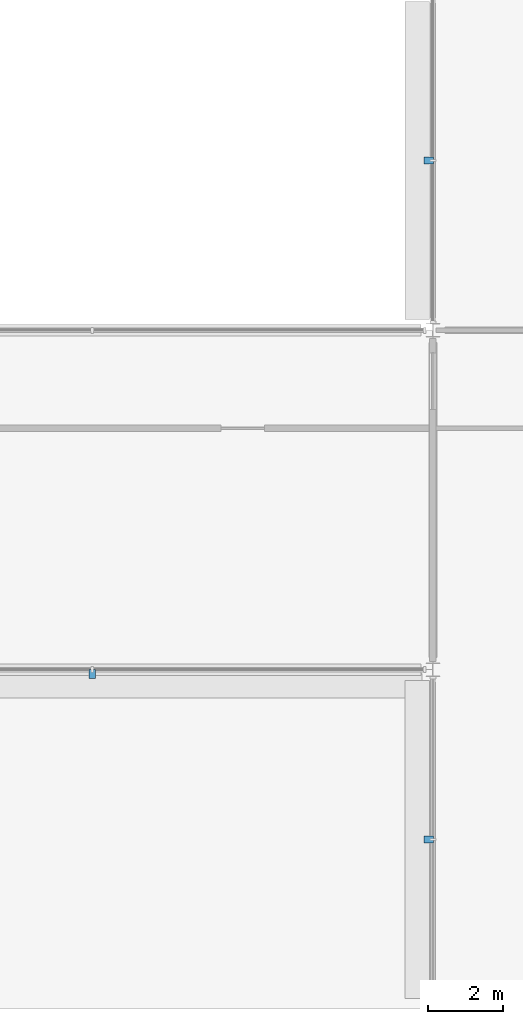
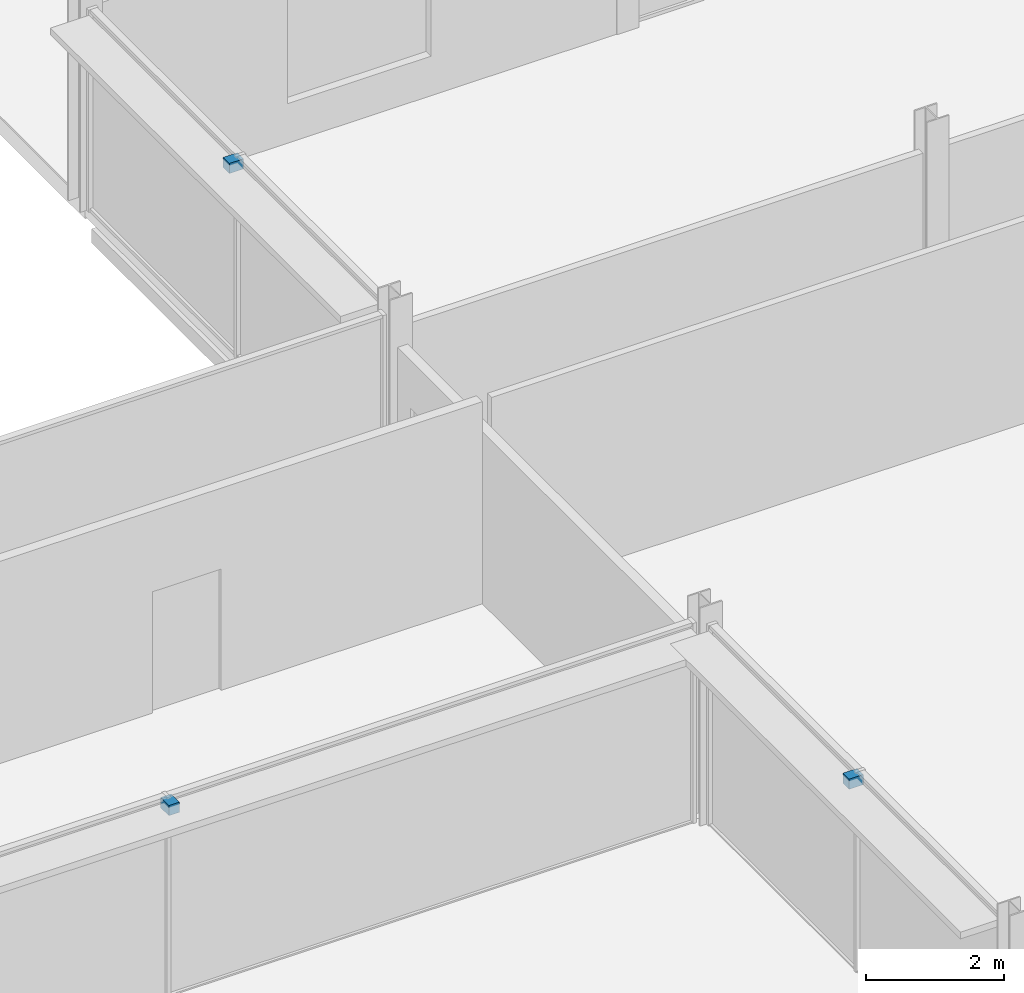
# One storey, part 86 of 105: 3 discrete accessories.
"""IFC4 building model written with IfcOpenShell, lengths in metres."""

from ifc_helpers import new_model, si_unit, direction, frame, origin, origin_2d, place, context, subcontext, project, spatial, rectangle, extrude, material, type_object, element, save


model = new_model("IFC4")

# Units and contexts
model_context = context("Model", 3, precision=1e-05, world=origin(), true_north=direction((0.0, 1.0)))
body_context = subcontext(model_context, "Body", "Model", "MODEL_VIEW")
ifc_project = project(units=[si_unit("LENGTHUNIT", "METRE"), si_unit("AREAUNIT", "SQUARE_METRE"), si_unit("VOLUMEUNIT", "CUBIC_METRE"), si_unit("PLANEANGLEUNIT", "RADIAN"), si_unit("MASSUNIT", "GRAM", prefix="KILO")], contexts=[model_context])

# Site, building, storey
site_placement = place(None, origin())
site = spatial("IfcSite", under=ifc_project, at=site_placement, CompositionType="ELEMENT")
building_placement = place(site_placement, origin())
building = spatial("IfcBuilding", under=site, at=building_placement, Name="Kisiwana Market Hall", CompositionType="ELEMENT")
storey_placement = place(building_placement, frame((0.0, 0.0, 21.60009765625)))
storey = spatial("IfcBuildingStorey", under=building, at=storey_placement, Name="L04", CompositionType="ELEMENT", Elevation=21.60009765625)

# Discrete accessories
ifc_material = material(Name="Steel S355", Category="steel")
discrete_accessory_type = type_object("IfcDiscreteAccessoryType", Name="ACC-BRACKET-STL", PredefinedType="BRACKET", material=ifc_material)
for number, where, z_axis, x_axis, name in (
    (1, (143.969482421875, 92.889892578125, 3.375), (0.0, 0.0, 1.0), (1.0, 0.0, 0.0), "Sunshade steel bracket BRK-065"),
    (2, (152.889892578125, 88.5, 3.375), (0.0, 0.0, 1.0), (0.0, 1.0, 0.0), "Sunshade steel bracket BRK-073"),
    (3, (152.889892578125, 106.5, 3.375), (0.0, 0.0, 1.0), (0.0, 1.0, 0.0), "Sunshade steel bracket BRK-074"),
):
    element("IfcDiscreteAccessory", number, at=place(storey_placement, frame(where, z_axis=z_axis, x_axis=x_axis)), inside=storey, type_object=discrete_accessory_type, Name=name, PredefinedType="BRACKET", context=body_context, shape_type="SweptSolid", body=[
        extrude(rectangle(XDim=0.179931640625, YDim=0.239990234375, at=origin_2d()), origin(), (0.0, 0.0, 1.0), 0.179931640625),
    ])

save(model, "model.ifc")
